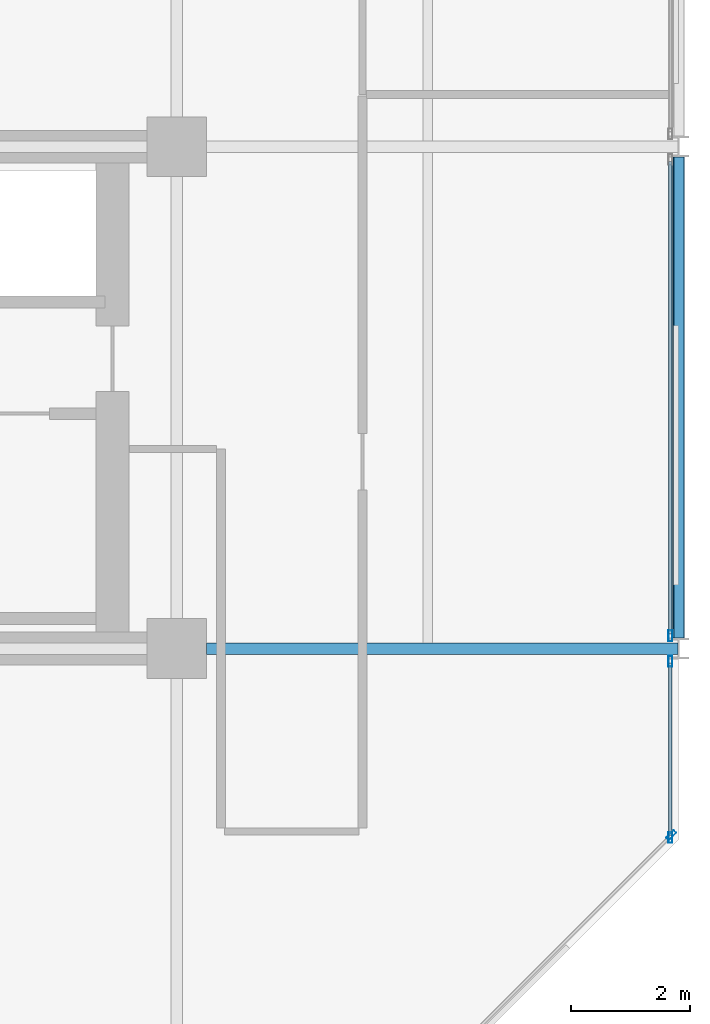
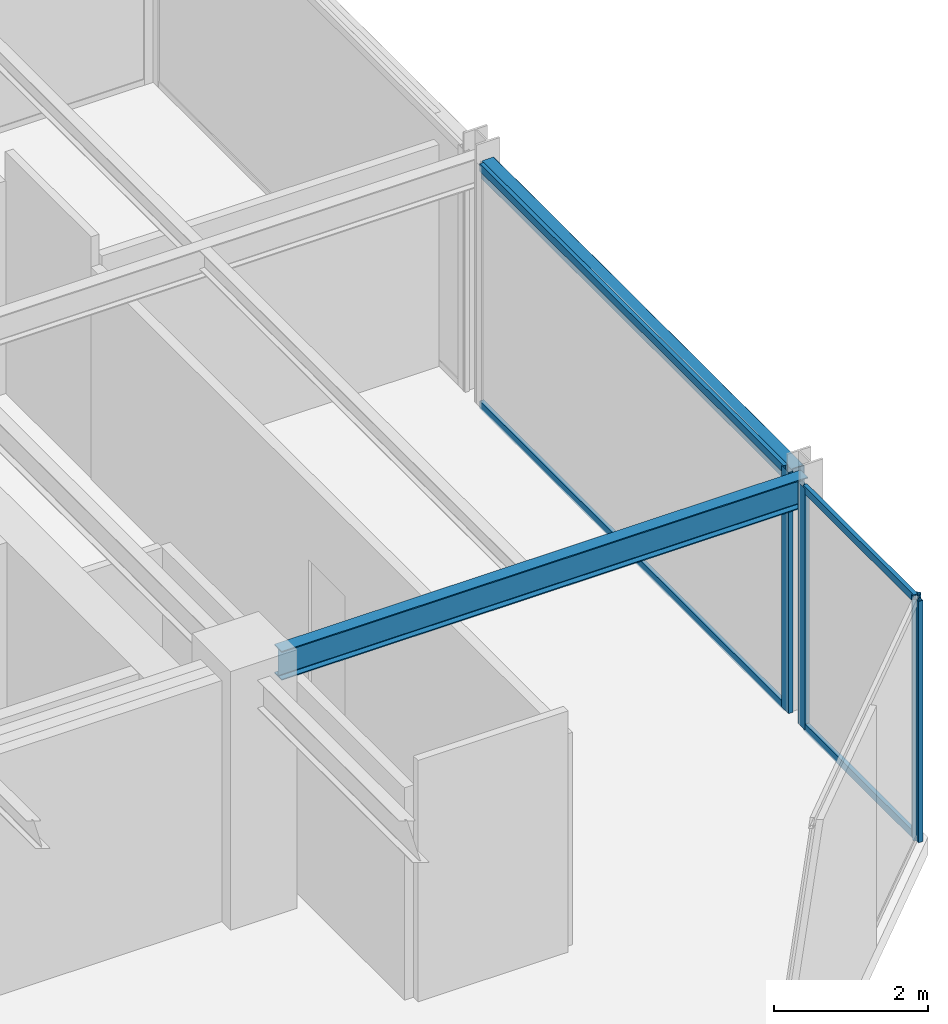
# One storey, part 13 of 29: 8 members, 2 beams, 3 elements without a shape of their own.
"""IFC4 building model written with IfcOpenShell, lengths in metres."""

from ifc_helpers import new_model, si_unit, direction, frame, origin, origin_2d, place, context, subcontext, project, spatial, hollow_rectangle, i_section, extrude, material, layer, layer_set, material_profile, profile_set, type_object, element, aggregate, save


model = new_model("IFC4")

# Units and contexts
model_context = context("Model", 3, precision=1e-05, world=origin(), true_north=direction((0.0, 1.0)))
body_context = subcontext(model_context, "Body", "Model", "MODEL_VIEW")
ifc_project = project(units=[si_unit("LENGTHUNIT", "METRE"), si_unit("AREAUNIT", "SQUARE_METRE"), si_unit("VOLUMEUNIT", "CUBIC_METRE"), si_unit("PLANEANGLEUNIT", "RADIAN"), si_unit("MASSUNIT", "GRAM", prefix="KILO")], contexts=[model_context])

# Site, building, storey
site_placement = place(None, origin())
site = spatial("IfcSite", under=ifc_project, at=site_placement, CompositionType="ELEMENT")
building_placement = place(site_placement, origin())
building = spatial("IfcBuilding", under=site, at=building_placement, Name="Nerrivon Quay Data Exchange", CompositionType="ELEMENT")
storey_placement = place(building_placement, frame((0.0, 0.0, 200.10009765625)))
storey = spatial("IfcBuildingStorey", under=building, at=storey_placement, Name="L47", CompositionType="ELEMENT", Elevation=200.10009765625)

# Beams
ifc_material_1 = material(Name="Steel Grade 350", Category="steel")
ifc_material_profile_1 = material_profile(ifc_material_1, i_section(OverallWidth=0.19091796875, OverallDepth=0.4599609375, WebThickness=0.010009765625, FlangeThickness=0.01611328125, FilletRadius=0.011474609375, at=origin_2d()), Name="460UB82.1")
ifc_profile_set_1 = profile_set([ifc_material_profile_1], Name="Steel Grade 350")
beam_type_1 = type_object("IfcBeamType", Name="BM-G5-460UB82", PredefinedType="BEAM", material=ifc_profile_set_1)
beam_1_placement = place(storey_placement, frame((34.10009765625, 8.39990234375, 3.594970703125), z_axis=(1.0, 0.0, 0.0), x_axis=(0.0, 1.0, 0.0)))
element("IfcBeam", 1, at=beam_1_placement, inside=storey, type_object=beam_type_1, Name="L47 EW Girder Y=8.4 (33.6..42.0)", PredefinedType="BEAM", context=body_context, shape_type="SweptSolid", body=[
    extrude(i_section(OverallWidth=0.19091796875, OverallDepth=0.4599609375, WebThickness=0.010009765625, FlangeThickness=0.01611328125, FilletRadius=0.011474609375, at=origin_2d()), origin(), (0.0, 0.0, 1.0), 7.889892578125),
])
ifc_material_2 = material(Name="Steel Grade C350L0 (350 MPa)", Category="steel")
ifc_material_profile_2 = material_profile(ifc_material_2, hollow_rectangle(XDim=0.199951171875, YDim=0.300048828125, WallThickness=0.012451171875, InnerFilletRadius=0.018798828125, OuterFilletRadius=0.03125, at=origin_2d()), Name="300x200x12.5RHS")
ifc_profile_set_2 = profile_set([ifc_material_profile_2], Name="Steel Grade C350L0 (350 MPa)")
beam_type_2 = type_object("IfcBeamType", Name="BM-SP3-300x200RHS", PredefinedType="SPANDREL", material=ifc_profile_set_2)
beam_2_placement = place(storey_placement, frame((42.0, 8.574951171875, 3.6748046875), z_axis=(0.0, 1.0, 0.0), x_axis=(-1.0, 0.0, 0.0)))
element("IfcBeam", 2, at=beam_2_placement, inside=storey, type_object=beam_type_2, Name="L47 NS Girder X=42.0 (8.4..16.8)", PredefinedType="SPANDREL", context=body_context, shape_type="SweptSolid", body=[
    extrude(hollow_rectangle(XDim=0.199951171875, YDim=0.300048828125, WallThickness=0.012451171875, InnerFilletRadius=0.018798828125, OuterFilletRadius=0.03125, at=origin_2d()), origin(), (0.0, 0.0, 1.0), 8.050048828125),
])

# Curtain wall, member
ifc_material_3 = material(Name="Anodised aluminium 6063-T6", Category="aluminium")
ifc_layer = layer(ifc_material_3, 0.195068359375)
ifc_layer_set = layer_set([ifc_layer], Name="Anodised aluminium 6063-T6")
curtain_wall_type = type_object("IfcCurtainWallType", Name="CW-SYS-06", PredefinedType="NOTDEFINED", material=ifc_layer_set)
curtain_wall_1_placement = place(storey_placement, origin())
curtain_wall_1 = element("IfcCurtainWall", 3, at=curtain_wall_1_placement, inside=storey, type_object=curtain_wall_type, Name="L47 Unitised Curtain Wall 19", PredefinedType="NOTDEFINED")
ifc_material_profile_3 = material_profile(ifc_material_3, hollow_rectangle(XDim=0.06494140625, YDim=0.179931640625, WallThickness=0.00341796875, at=origin_2d()), Name="ALU-MULL-180x65")
ifc_profile_set_3 = profile_set([ifc_material_profile_3], Name="Anodised aluminium 6063-T6")
member_type_1 = type_object("IfcMemberType", Name="CWM-180x65", PredefinedType="MULLION", material=ifc_profile_set_3)
member_1_placement = place(storey_placement, frame((41.860107421875, 8.612548828125, 0.0), z_axis=(0.0, 0.0, 1.0), x_axis=(1.0, 0.0, 0.0)))
member_1 = element("IfcMember", 4, at=member_1_placement, type_object=member_type_1, Name="CW06 mullion 2", PredefinedType="MULLION", context=body_context, shape_type="SweptSolid", body=[
    extrude(hollow_rectangle(XDim=0.06494140625, YDim=0.179931640625, WallThickness=0.00341796875, at=origin_2d()), origin(), (0.0, 0.0, 1.0), 3.824951171875),
])

# Curtain wall, members
curtain_wall_2_placement = place(storey_placement, origin())
curtain_wall_2 = element("IfcCurtainWall", 5, at=curtain_wall_2_placement, inside=storey, type_object=curtain_wall_type, Name="L47 Unitised Curtain Wall 20", PredefinedType="NOTDEFINED")
member_2_placement = place(storey_placement, frame((41.860107421875, 8.1875, 0.0), z_axis=(0.0, 0.0, 1.0), x_axis=(1.0, 0.0, 0.0)))
member_2 = element("IfcMember", 6, at=member_2_placement, type_object=member_type_1, Name="CW06 mullion 1", PredefinedType="MULLION", context=body_context, shape_type="SweptSolid", body=[
    extrude(hollow_rectangle(XDim=0.06494140625, YDim=0.179931640625, WallThickness=0.00341796875, at=origin_2d()), origin(), (0.0, 0.0, 1.0), 3.824951171875),
])
member_3_placement = place(storey_placement, frame((41.860107421875, 5.237548828125, 0.0), z_axis=(0.0, 0.0, 1.0), x_axis=(1.0, 0.0, 0.0)))
member_3 = element("IfcMember", 7, at=member_3_placement, type_object=member_type_1, Name="CW06 mullion 2", PredefinedType="MULLION", context=body_context, shape_type="SweptSolid", body=[
    extrude(hollow_rectangle(XDim=0.06494140625, YDim=0.179931640625, WallThickness=0.00341796875, at=origin_2d()), origin(), (0.0, 0.0, 1.0), 3.824951171875),
])

# Curtain wall, member
curtain_wall_3_placement = place(storey_placement, origin())
curtain_wall_3 = element("IfcCurtainWall", 8, at=curtain_wall_3_placement, inside=storey, type_object=curtain_wall_type, Name="L47 Unitised Curtain Wall 21", PredefinedType="NOTDEFINED")
member_4_placement = place(storey_placement, frame((41.87451171875, 5.2724609375, 0.0), z_axis=(0.0, 0.0, 1.0), x_axis=(0.707106781187, -0.707106781187, 0.0)))
member_4 = element("IfcMember", 9, at=member_4_placement, type_object=member_type_1, Name="CW06 mullion 1", PredefinedType="MULLION", context=body_context, shape_type="SweptSolid", body=[
    extrude(hollow_rectangle(XDim=0.06494140625, YDim=0.179931640625, WallThickness=0.00341796875, at=origin_2d()), origin(), (0.0, 0.0, 1.0), 3.824951171875),
])
aggregate(curtain_wall_3, [member_4])

# Member
ifc_material_profile_4 = material_profile(ifc_material_3, hollow_rectangle(XDim=0.06005859375, YDim=0.1201171875, WallThickness=0.003173828125, at=origin_2d()), Name="ALU-TRAN-120x60")
ifc_profile_set_4 = profile_set([ifc_material_profile_4], Name="Anodised aluminium 6063-T6")
member_type_2 = type_object("IfcMemberType", Name="CWT-120x60", PredefinedType="USERDEFINED", material=ifc_profile_set_4)
member_5_placement = place(storey_placement, frame((41.860107421875, 16.550048828125, 0.032470703125), z_axis=(0.0, -1.0, 0.0), x_axis=(1.0, 0.0, 0.0)))
member_5 = element("IfcMember", 10, at=member_5_placement, type_object=member_type_2, Name="CW06 transom 1.1", ObjectType="TRANSOM", PredefinedType="USERDEFINED", context=body_context, shape_type="SweptSolid", body=[
    extrude(hollow_rectangle(XDim=0.06005859375, YDim=0.1201171875, WallThickness=0.003173828125, at=origin_2d()), origin(), (0.0, 0.0, 1.0), 7.900146484375),
])

member_6_placement = place(storey_placement, frame((41.860107421875, 16.550048828125, 3.79248046875), z_axis=(0.0, -1.0, 0.0), x_axis=(1.0, 0.0, 0.0)))
member_6 = element("IfcMember", 11, at=member_6_placement, type_object=member_type_2, Name="CW06 transom 1.2", ObjectType="TRANSOM", PredefinedType="USERDEFINED", context=body_context, shape_type="SweptSolid", body=[
    extrude(hollow_rectangle(XDim=0.06005859375, YDim=0.1201171875, WallThickness=0.003173828125, at=origin_2d()), origin(), (0.0, 0.0, 1.0), 7.900146484375),
])

aggregate(curtain_wall_1, [member_1, member_5, member_6])

member_7_placement = place(storey_placement, frame((41.860107421875, 8.14990234375, 0.032470703125), z_axis=(0.0, -1.0, 0.0), x_axis=(1.0, 0.0, 0.0)))
member_7 = element("IfcMember", 12, at=member_7_placement, type_object=member_type_2, Name="CW06 transom 1.1", ObjectType="TRANSOM", PredefinedType="USERDEFINED", context=body_context, shape_type="SweptSolid", body=[
    extrude(hollow_rectangle(XDim=0.06005859375, YDim=0.1201171875, WallThickness=0.003173828125, at=origin_2d()), origin(), (0.0, 0.0, 1.0), 2.875),
])

member_8_placement = place(storey_placement, frame((41.860107421875, 8.14990234375, 3.79248046875), z_axis=(0.0, -1.0, 0.0), x_axis=(1.0, 0.0, 0.0)))
member_8 = element("IfcMember", 13, at=member_8_placement, type_object=member_type_2, Name="CW06 transom 1.2", ObjectType="TRANSOM", PredefinedType="USERDEFINED", context=body_context, shape_type="SweptSolid", body=[
    extrude(hollow_rectangle(XDim=0.06005859375, YDim=0.1201171875, WallThickness=0.003173828125, at=origin_2d()), origin(), (0.0, 0.0, 1.0), 2.875),
])

aggregate(curtain_wall_2, [member_2, member_3, member_7, member_8])

save(model, "model.ifc")
